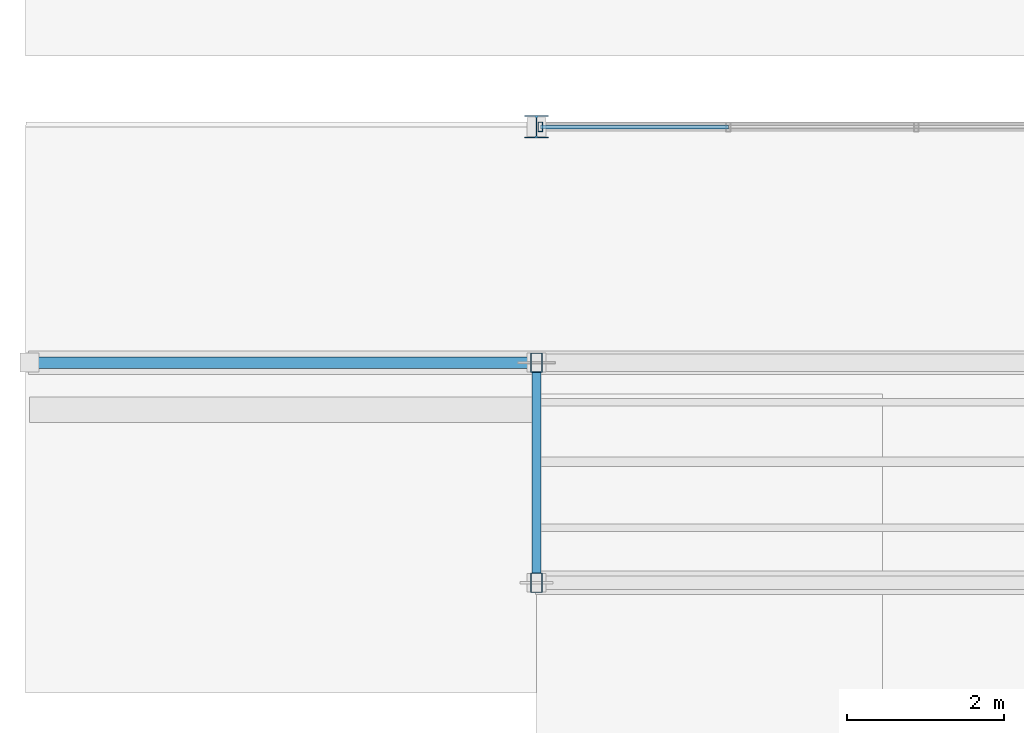
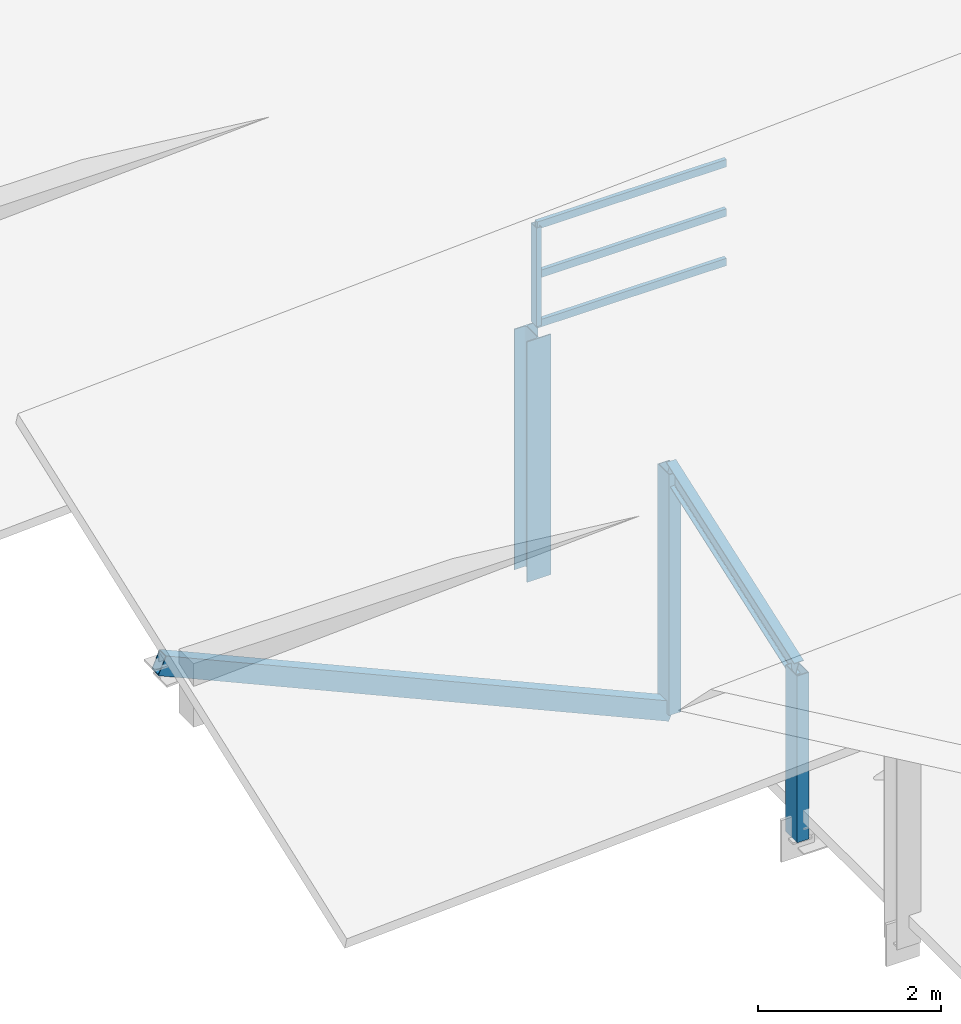
# One storey, part 25 of 141: 9 members, 1 element without a shape of its own.
"""IFC4 building model written with IfcOpenShell, lengths in metres."""

from ifc_helpers import new_model, si_unit, direction, frame, origin, origin_2d, place, context, subcontext, project, spatial, hollow_rectangle, i_section, extrude, material, material_profile, profile_set, type_object, element, aggregate, save


model = new_model("IFC4")

# Units and contexts
model_context = context("Model", 3, precision=1e-05, world=origin(), true_north=direction((0.0, 1.0)))
body_context = subcontext(model_context, "Body", "Model", "MODEL_VIEW")
ifc_project = project(units=[si_unit("LENGTHUNIT", "METRE"), si_unit("AREAUNIT", "SQUARE_METRE"), si_unit("VOLUMEUNIT", "CUBIC_METRE"), si_unit("PLANEANGLEUNIT", "RADIAN"), si_unit("MASSUNIT", "GRAM", prefix="KILO")], contexts=[model_context])

# Site, building, storey
site_placement = place(None, origin())
site = spatial("IfcSite", under=ifc_project, at=site_placement, CompositionType="ELEMENT")
building_placement = place(site_placement, origin())
building = spatial("IfcBuilding", under=site, at=building_placement, Name="Sundkrona Museum", CompositionType="ELEMENT")
storey_placement = place(building_placement, frame((0.0, 0.0, 34.0)))
storey = spatial("IfcBuildingStorey", under=building, at=storey_placement, Name="RF", CompositionType="ELEMENT", Elevation=34.0)

# Member
ifc_material_1 = material(Name="Steel S355J2", Category="steel")
ifc_material_profile_1 = material_profile(ifc_material_1, i_section(OverallWidth=0.300048828125, OverallDepth=0.2900390625, WebThickness=0.008544921875, FlangeThickness=0.013916015625, FilletRadius=0.027099609375, at=origin_2d()), Name="HEA 300")
ifc_profile_set_1 = profile_set([ifc_material_profile_1], Name="Steel S355J2")
member_type_1 = type_object("IfcMemberType", Name="BR-HEA300", PredefinedType="BRACE", material=ifc_profile_set_1)
member_1_placement = place(storey_placement, frame((120.0, 18.39990234375, -0.25), z_axis=(0.0, 0.0, 1.0), x_axis=(1.0, 0.0, 0.0)))
element("IfcMember", 1, at=member_1_placement, inside=storey, type_object=member_type_1, Name="RFS-1 Sawtooth Bay 3 Clerestory Corner Post W", PredefinedType="BRACE", context=body_context, shape_type="SweptSolid", body=[
    extrude(i_section(OverallWidth=0.300048828125, OverallDepth=0.2900390625, WebThickness=0.008544921875, FlangeThickness=0.013916015625, FilletRadius=0.027099609375, at=origin_2d()), origin(), (0.0, 0.0, 1.0), 3.212890625),
])

# Curtain wall, member
ifc_material_2 = material(Name="Unitised Aluminium-Steel and Ceramic-Clad Curtain Walling", Category="steel")
curtain_wall_type = type_object("IfcCurtainWallType", Name="CW-SW-240x13", PredefinedType="NOTDEFINED", material=ifc_material_2)
curtain_wall_placement = place(storey_placement, origin())
curtain_wall = element("IfcCurtainWall", 2, at=curtain_wall_placement, inside=storey, type_object=curtain_wall_type, Name="Sawtooth Bay 3 West North-Light Clerestory", PredefinedType="NOTDEFINED")
ifc_material_3 = material(Name="Aluminium EN AW-6060 T66", Category="aluminium")
ifc_material_profile_2 = material_profile(ifc_material_3, hollow_rectangle(XDim=0.06005859375, YDim=0.1201171875, WallThickness=0.0048828125, at=origin_2d()), Name="RHS 120x60x5.0")
ifc_profile_set_2 = profile_set([ifc_material_profile_2], Name="Aluminium EN AW-6060 T66")
member_type_2 = type_object("IfcMemberType", Name="ML-120", PredefinedType="MULLION", material=ifc_profile_set_2)
member_2_placement = place(storey_placement, frame((120.050048828125, 18.39990234375, 3.052978515625), z_axis=(0.0, 0.0, 1.0), x_axis=(1.0, 0.0, 0.0)))
member_2 = element("IfcMember", 3, at=member_2_placement, type_object=member_type_2, Name="CW-RF-SAW-03W Mullion 01", PredefinedType="MULLION", context=body_context, shape_type="SweptSolid", body=[
    extrude(hollow_rectangle(XDim=0.06005859375, YDim=0.1201171875, WallThickness=0.0048828125, at=origin_2d()), origin(), (0.0, 0.0, 1.0), 1.320068359375),
])

# Members
ifc_material_profile_3 = material_profile(ifc_material_1, i_section(OverallWidth=0.1201171875, OverallDepth=0.239990234375, WebThickness=0.006103515625, FlangeThickness=0.009765625, FilletRadius=0.014892578125, at=origin_2d()), Name="IPE 240")
ifc_profile_set_3 = profile_set([ifc_material_profile_3], Name="Steel S355J2")
member_type_3 = type_object("IfcMemberType", Name="PR-IPE240", PredefinedType="PURLIN", material=ifc_profile_set_3)
member_3_placement = place(storey_placement, frame((120.0, 12.60009765625, 1.976806640625), z_axis=(0.0, 0.942719886711, 0.333585394164), x_axis=(-1.0, 0.0, 0.0)))
element("IfcMember", 4, at=member_3_placement, inside=storey, type_object=member_type_3, Name="RFS-1 Sawtooth Bay 3 Transverse Rafter 1", PredefinedType="PURLIN", context=body_context, shape_type="SweptSolid", body=[
    extrude(i_section(OverallWidth=0.1201171875, OverallDepth=0.239990234375, WebThickness=0.006103515625, FlangeThickness=0.009765625, FilletRadius=0.014892578125, at=origin_2d()), origin(), (0.0, 0.0, 1.0), 2.969970703125),
])
ifc_material_profile_4 = material_profile(ifc_material_1, hollow_rectangle(XDim=0.14990234375, YDim=0.25, WallThickness=0.010009765625, at=origin_2d()), Name="RHS 250x150x10.0")
ifc_profile_set_4 = profile_set([ifc_material_profile_4], Name="Steel S355J2")
member_type_4 = type_object("IfcMemberType", Name="ST-RHS250", PredefinedType="STRUT", material=ifc_profile_set_4)
member_4_placement = place(storey_placement, frame((120.0, 15.39990234375, -0.25), z_axis=(-0.913718820957, 0.0, 0.406347039154), x_axis=(0.0, -1.0, 0.0)))
element("IfcMember", 5, at=member_4_placement, inside=storey, type_object=member_type_4, Name="RFS-1 Sawtooth Truss 3 West Knee Strut", PredefinedType="STRUT", context=body_context, shape_type="SweptSolid", body=[
    extrude(hollow_rectangle(XDim=0.14990234375, YDim=0.25, WallThickness=0.010009765625, at=origin_2d()), origin(), (0.0, 0.0, 1.0), 7.05908203125),
])
member_5_placement = place(storey_placement, frame((120.0, 15.39990234375, -0.25), z_axis=(0.0, 0.0, 1.0), x_axis=(1.0, 0.0, 0.0)))
element("IfcMember", 6, at=member_5_placement, inside=storey, type_object=member_type_4, Name="RFS-1 Sawtooth Truss 3 Vertical Post 1", PredefinedType="STRUT", context=body_context, shape_type="SweptSolid", body=[
    extrude(hollow_rectangle(XDim=0.14990234375, YDim=0.25, WallThickness=0.010009765625, at=origin_2d()), origin(), (0.0, 0.0, 1.0), 3.217529296875),
])
member_6_placement = place(storey_placement, frame((120.0, 12.60009765625, -0.25), z_axis=(0.0, 0.0, 1.0), x_axis=(1.0, 0.0, 0.0)))
element("IfcMember", 7, at=member_6_placement, inside=storey, type_object=member_type_4, Name="RFS-1 Sawtooth Bay 3 Valley Post 1", PredefinedType="STRUT", context=body_context, shape_type="SweptSolid", body=[
    extrude(hollow_rectangle(XDim=0.14990234375, YDim=0.25, WallThickness=0.010009765625, at=origin_2d()), origin(), (0.0, 0.0, 1.0), 2.226806640625),
])

# Member
ifc_material_profile_5 = material_profile(ifc_material_3, hollow_rectangle(XDim=0.050048828125, YDim=0.10009765625, WallThickness=0.0048828125, at=origin_2d()), Name="RHS 100x50x5.0")
ifc_profile_set_5 = profile_set([ifc_material_profile_5], Name="Aluminium EN AW-6060 T66")
member_type_5 = type_object("IfcMemberType", Name="TR-100", PredefinedType="USERDEFINED", material=ifc_profile_set_5)
member_7_placement = place(storey_placement, frame((120.050048828125, 18.39990234375, 3.052978515625), z_axis=(1.0, 0.0, 0.0), x_axis=(0.0, 1.0, 0.0)))
member_7 = element("IfcMember", 8, at=member_7_placement, type_object=member_type_5, Name="CW-RF-SAW-03W Transom 01", ObjectType="TRANSOM", PredefinedType="USERDEFINED", context=body_context, shape_type="SweptSolid", body=[
    extrude(hollow_rectangle(XDim=0.050048828125, YDim=0.10009765625, WallThickness=0.0048828125, at=origin_2d()), origin(), (0.0, 0.0, 1.0), 2.389892578125),
])

member_8_placement = place(storey_placement, frame((120.050048828125, 18.39990234375, 3.712890625), z_axis=(1.0, 0.0, 0.0), x_axis=(0.0, 1.0, 0.0)))
member_8 = element("IfcMember", 9, at=member_8_placement, type_object=member_type_5, Name="CW-RF-SAW-03W Transom 02", ObjectType="TRANSOM", PredefinedType="USERDEFINED", context=body_context, shape_type="SweptSolid", body=[
    extrude(hollow_rectangle(XDim=0.050048828125, YDim=0.10009765625, WallThickness=0.0048828125, at=origin_2d()), origin(), (0.0, 0.0, 1.0), 2.389892578125),
])

member_9_placement = place(storey_placement, frame((120.050048828125, 18.39990234375, 4.373046875), z_axis=(1.0, 0.0, 0.0), x_axis=(0.0, 1.0, 0.0)))
member_9 = element("IfcMember", 10, at=member_9_placement, type_object=member_type_5, Name="CW-RF-SAW-03W Transom 03", ObjectType="TRANSOM", PredefinedType="USERDEFINED", context=body_context, shape_type="SweptSolid", body=[
    extrude(hollow_rectangle(XDim=0.050048828125, YDim=0.10009765625, WallThickness=0.0048828125, at=origin_2d()), origin(), (0.0, 0.0, 1.0), 2.389892578125),
])

aggregate(curtain_wall, [member_2, member_7, member_8, member_9])

save(model, "model.ifc")
